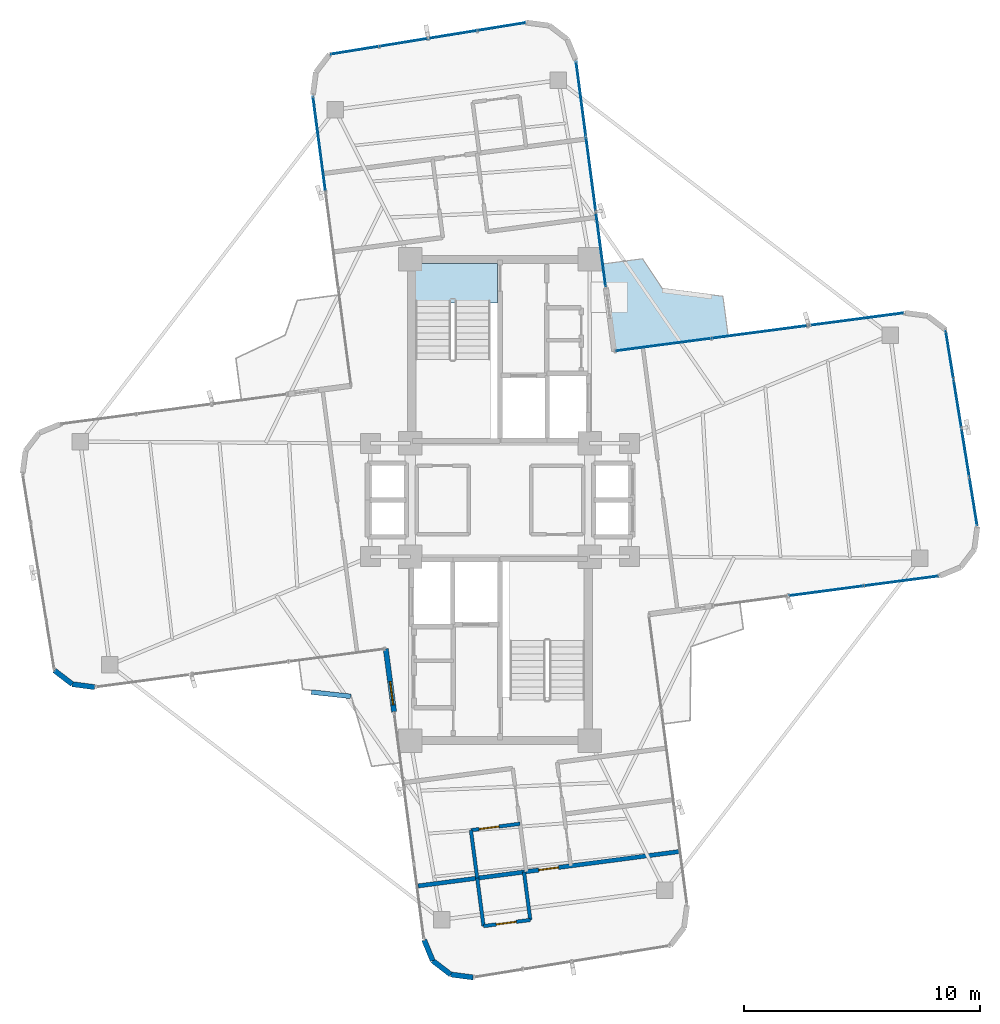
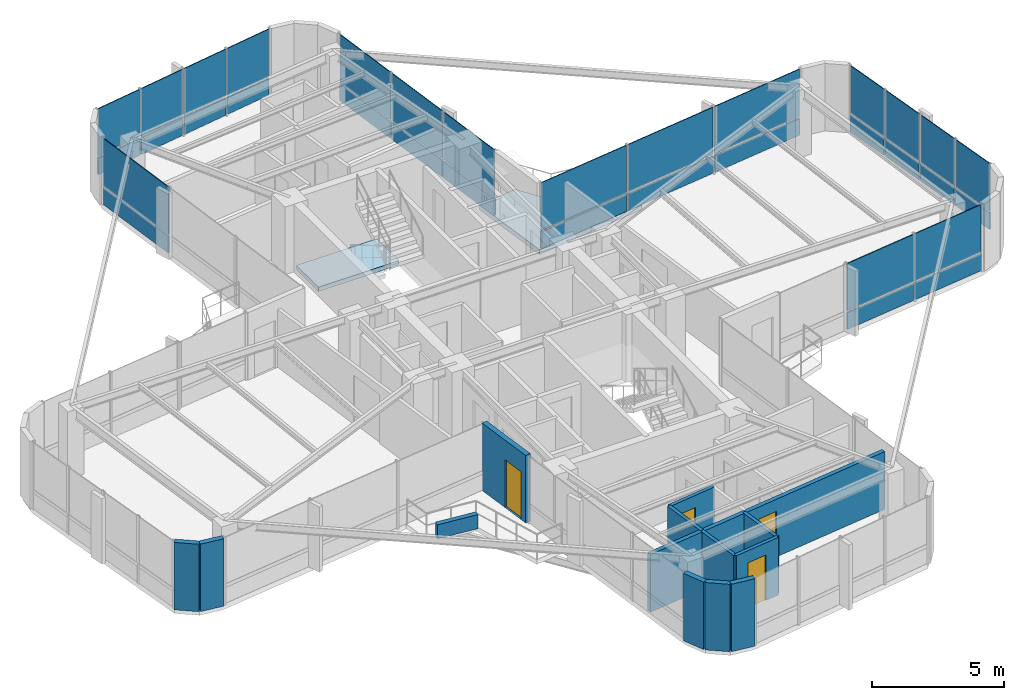
# One storey, part 18 of 22: 34 plates, 13 walls, 4 doors, 2 slabs, 4 openings, 6 elements without a shape of their own.
"""IFC4 building model written with IfcOpenShell, lengths in metres."""

import ifcopenshell
import ifcopenshell.guid

model = None  # the IFC model being written
_history = None  # IfcOwnerHistory: only IFC2X3 demands one
_inside = {}  # id of a spatial element -> (the spatial element, [elements in it])
_under = {}  # id of a project, library or spatial element -> (it, [spatial elements below it])
_declared = {}  # id of a project -> (the project, [libraries it declares])
_typed = {}  # id of a type object -> (the type object, [elements of that type])
_made_of = {}  # id of a material, layer set ... -> (it, [elements and type objects made of it])


def new_model(schema):
    """Start an empty IFC model of exactly this schema.

    Asked for "IFC4X3", IfcOpenShell would pick the latest addendum, in which some entities
    have other attributes; the version numbers below select the first issue.
    IFC2X3 requires an IfcOwnerHistory on every rooted entity: one is made here for all.
    """
    global model, _history
    if schema == "IFC4X3":
        model = ifcopenshell.file(schema_version=(4, 3, 0, 0))
    else:
        model = ifcopenshell.file(schema=schema)
    _inside.clear()
    _under.clear()
    _declared.clear()
    _typed.clear()
    _made_of.clear()
    _history = None
    if model.schema == "IFC2X3":
        org = make("IfcOrganization", Name="unknown")
        user = make(
            "IfcPersonAndOrganization",
            ThePerson=make("IfcPerson", FamilyName="unknown"),
            TheOrganization=org,
        )
        app = make(
            "IfcApplication",
            ApplicationDeveloper=org,
            Version="unknown",
            ApplicationFullName="unknown",
            ApplicationIdentifier="unknown",
        )
        _history = make(
            "IfcOwnerHistory",
            OwningUser=user,
            OwningApplication=app,
            ChangeAction="ADDED",
            CreationDate=0,
        )
    return model


def make(cls, **values):
    """One entity of the class cls with the attributes given. An attribute that is None is left unset."""
    return model.create_entity(
        cls, **{name: value for name, value in values.items() if value is not None}
    )


def rooted(cls, **values):
    """An entity with a GlobalId (a new one), such as an element, a storey or a relation."""
    return make(cls, GlobalId=ifcopenshell.guid.new(), OwnerHistory=_history, **values)


def si_unit(unit_type, name, prefix=None):
    """IfcSIUnit, for example si_unit("LENGTHUNIT", "METRE", prefix="MILLI")."""
    return make("IfcSIUnit", UnitType=unit_type, Prefix=prefix, Name=name)


def assignment(units):
    """IfcUnitAssignment: the units of a project."""
    return None if units is None else make("IfcUnitAssignment", Units=units)


def point(xyz):
    """IfcCartesianPoint."""
    return None if xyz is None else make("IfcCartesianPoint", Coordinates=xyz)


def direction(xyz):
    """IfcDirection."""
    return None if xyz is None else make("IfcDirection", DirectionRatios=xyz)


def frame(location, z_axis=None, x_axis=None):
    """IfcAxis2Placement3D, a coordinate frame: its origin and axes. An axis left out is left unset."""
    return make(
        "IfcAxis2Placement3D",
        Location=point(location),
        Axis=direction(z_axis),
        RefDirection=direction(x_axis),
    )


def frame_2d(location, x_axis=None):
    """IfcAxis2Placement2D, a coordinate frame in the plane: its origin and x axis."""
    return make(
        "IfcAxis2Placement2D", Location=point(location), RefDirection=direction(x_axis)
    )


def origin():
    """The frame at (0, 0, 0) with its axes left unset."""
    return frame((0.0, 0.0, 0.0))


def origin_2d():
    """The frame at (0, 0) in the plane with its x axis left unset."""
    return frame_2d((0.0, 0.0))


def place(relative_to, where):
    """IfcLocalPlacement: puts the frame where relative to a parent placement (None: the world)."""
    return make(
        "IfcLocalPlacement", PlacementRelTo=relative_to, RelativePlacement=where
    )


def context(
    kind, dimensions, precision=None, world=None, true_north=None, identifier=None
):
    """IfcGeometricRepresentationContext, for example the 3D "Model" context."""
    return make(
        "IfcGeometricRepresentationContext",
        ContextIdentifier=identifier,
        ContextType=kind,
        CoordinateSpaceDimension=dimensions,
        Precision=precision,
        WorldCoordinateSystem=world,
        TrueNorth=true_north,
    )


def subcontext(parent, identifier, kind, view, scale=None):
    """IfcGeometricRepresentationSubContext, for example "Body" below "Model"."""
    return make(
        "IfcGeometricRepresentationSubContext",
        ContextIdentifier=identifier,
        ContextType=kind,
        ParentContext=parent,
        TargetScale=scale,
        TargetView=view,
    )


def project(units=None, contexts=None):
    """IfcProject with its units and contexts."""
    return rooted(
        "IfcProject",
        Name="project",
        RepresentationContexts=contexts,
        UnitsInContext=assignment(units),
    )


def spatial(cls, under=None, at=None, **own):
    """A site, building, storey or space (cls), placed at a placement, below another one or the project."""
    s = rooted(cls, ObjectPlacement=at, **own)
    if under is not None:
        _under.setdefault(under.id(), (under, []))[1].append(s)
    return s


def polyline(points):
    """IfcPolyline through the points."""
    return make("IfcPolyline", Points=[point(p) for p in points])


def profile(cls, at=None, kind="AREA", **sizes):
    """A parametric profile (cls). Its sizes go by their IFC names, for example OverallWidth=200.0."""
    return make(cls, ProfileType=kind, Position=at, **sizes)


def rectangle(**sizes):
    """IfcRectangleProfileDef."""
    return profile("IfcRectangleProfileDef", **sizes)


def outline(outer, holes=None, kind="AREA"):
    """IfcArbitraryClosedProfileDef: a profile drawn as a closed curve; with holes, ...WithVoids."""
    if holes is None:
        return make("IfcArbitraryClosedProfileDef", ProfileType=kind, OuterCurve=outer)
    return make(
        "IfcArbitraryProfileDefWithVoids",
        ProfileType=kind,
        OuterCurve=outer,
        InnerCurves=holes,
    )


def extrude(swept, where, along, depth):
    """IfcExtrudedAreaSolid: the profile swept, set in the frame where, extruded along a direction by depth."""
    return make(
        "IfcExtrudedAreaSolid",
        SweptArea=swept,
        Position=where,
        ExtrudedDirection=direction(along),
        Depth=depth,
    )


def shape(context_of_items, identifier, shape_type, items):
    """IfcShapeRepresentation: the items that make up one representation, for example the "Body"."""
    return make(
        "IfcShapeRepresentation",
        ContextOfItems=context_of_items,
        RepresentationIdentifier=identifier,
        RepresentationType=shape_type,
        Items=items,
    )


def source(mapping_origin, context_of_items, identifier, shape_type, items):
    """IfcRepresentationMap: a shape defined once, which mapped items show again and again."""
    return make(
        "IfcRepresentationMap",
        MappingOrigin=mapping_origin,
        MappedRepresentation=shape(context_of_items, identifier, shape_type, items),
    )


def transform(
    local_origin,
    x_axis=None,
    y_axis=None,
    z_axis=None,
    scale=None,
    scale2=None,
    scale3=None,
    uniform=True,
):
    """IfcCartesianTransformationOperator3D, or its non-uniform kind. x_axis, y_axis, z_axis: its Axis1, 2, 3."""
    if uniform:
        return make(
            "IfcCartesianTransformationOperator3D",
            Axis1=direction(x_axis),
            Axis2=direction(y_axis),
            LocalOrigin=point(local_origin),
            Scale=scale,
            Axis3=direction(z_axis),
        )
    return make(
        "IfcCartesianTransformationOperator3DnonUniform",
        Axis1=direction(x_axis),
        Axis2=direction(y_axis),
        LocalOrigin=point(local_origin),
        Scale=scale,
        Axis3=direction(z_axis),
        Scale2=scale2,
        Scale3=scale3,
    )


def mapped(mapping_source, mapping_target):
    """IfcMappedItem: shows the shape of a source again, moved by a transform."""
    return make(
        "IfcMappedItem", MappingSource=mapping_source, MappingTarget=mapping_target
    )


def material(Name=None, Category=None):
    """IfcMaterial."""
    return make("IfcMaterial", Name=Name, Category=Category)


def layer(
    of_material, thickness, ventilated=None, Name=None, Category=None, Priority=None
):
    """IfcMaterialLayer: one layer of a wall or slab, of a material (None: an air gap)."""
    return make(
        "IfcMaterialLayer",
        Material=of_material,
        LayerThickness=thickness,
        IsVentilated=ventilated,
        Name=Name,
        Category=Category,
        Priority=Priority,
    )


def layer_set(layers, Name=None):
    """IfcMaterialLayerSet."""
    return make("IfcMaterialLayerSet", MaterialLayers=layers, LayerSetName=Name)


def made_of(thing, what):
    """Note that an element or type object is made of a material, layer set ...; save() writes the relation."""
    if what is not None:
        _made_of.setdefault(what.id(), (what, []))[1].append(thing)
    return thing


def type_object(cls, material=None, **own):
    """A type object (cls), such as IfcWallType, which elements share."""
    return made_of(rooted(cls, **own), material)


def element(
    cls,
    number,
    at=None,
    inside=None,
    cuts=None,
    type_object=None,
    material=None,
    context=None,
    identifier="Body",
    shape_type=None,
    held_by="IfcProductDefinitionShape",
    body=None,
    shapes=None,
    **own,
):
    """One element of the class cls, such as IfcWall. Its Tag is "e" and its number.

    at: its placement. inside: the storey or other place that contains it. cuts: it is an
    opening in that element (IfcRelVoidsElement). A single representation is given by context,
    identifier, shape_type and body (its items); several are given by shapes. held_by: the class
    of the entity that holds the representations. save() writes the other relations.
    """
    e = rooted(cls, Tag="e%d" % number, ObjectPlacement=at, **own)
    if body is not None:
        shapes = [shape(context, identifier, shape_type, body)]
    if shapes is not None:
        e.Representation = make(held_by, Representations=shapes)
    if inside is not None:
        _inside.setdefault(inside.id(), (inside, []))[1].append(e)
    if cuts is not None:
        rooted(
            "IfcRelVoidsElement", RelatingBuildingElement=cuts, RelatedOpeningElement=e
        )
    if type_object is not None:
        _typed.setdefault(type_object.id(), (type_object, []))[1].append(e)
    return made_of(e, material)


def fill(opening, filler):
    """IfcRelFillsElement: the door or window that sits in an opening."""
    return rooted(
        "IfcRelFillsElement",
        RelatingOpeningElement=opening,
        RelatedBuildingElement=filler,
    )


def aggregate(whole, parts):
    """IfcRelAggregates: a whole, such as a stair, and the parts it consists of."""
    return rooted("IfcRelAggregates", RelatingObject=whole, RelatedObjects=parts)


def save(model, path):
    """Write the relations noted so far, then the file.

    IfcRelAggregates (storeys below a building ...), IfcRelContainedInSpatialStructure (elements
    in a storey), IfcRelDefinesByType, IfcRelAssociatesMaterial and IfcRelDeclares: one each for
    every whole, place, type object, material and project.
    """
    for whole, parts in _under.values():
        aggregate(whole, parts)
    for where, things in _inside.values():
        rooted(
            "IfcRelContainedInSpatialStructure",
            RelatedElements=things,
            RelatingStructure=where,
        )
    for kind, things in _typed.values():
        rooted("IfcRelDefinesByType", RelatedObjects=things, RelatingType=kind)
    for what, things in _made_of.values():
        rooted("IfcRelAssociatesMaterial", RelatedObjects=things, RelatingMaterial=what)
    for by, libraries in _declared.values():
        rooted("IfcRelDeclares", RelatingContext=by, RelatedDefinitions=libraries)
    model.write(path)


model = new_model("IFC4")

# Units and contexts
model_context = context("Model", 3, precision=1e-05, world=origin(), true_north=direction((0.0, 1.0)))
body_context = subcontext(model_context, "Body", "Model", "MODEL_VIEW")
ifc_project = project(units=[si_unit("LENGTHUNIT", "METRE"), si_unit("AREAUNIT", "SQUARE_METRE"), si_unit("VOLUMEUNIT", "CUBIC_METRE"), si_unit("PLANEANGLEUNIT", "RADIAN"), si_unit("MASSUNIT", "GRAM", prefix="KILO")], contexts=[model_context])

# Site, building, storey
site_placement = place(None, origin())
site = spatial("IfcSite", under=ifc_project, at=site_placement, CompositionType="ELEMENT")
building_placement = place(site_placement, origin())
building = spatial("IfcBuilding", under=site, at=building_placement, Name="Sahyath Konkavel Grand Hotel", CompositionType="ELEMENT")
storey_placement = place(building_placement, frame((0.0, 0.0, 237.800048828125)))
storey = spatial("IfcBuildingStorey", under=building, at=storey_placement, Name="L66", CompositionType="ELEMENT", Elevation=237.800048828125)

# Slabs
ifc_material_1 = material(Name="Concrete C40/50", Category="concrete")
ifc_layer_1 = layer(ifc_material_1, 0.219970703125)
ifc_layer_set_1 = layer_set([ifc_layer_1], Name="Concrete C40/50")
slab_type_1 = type_object("IfcSlabType", Name="SLB-BALCONY-220", PredefinedType="FLOOR", material=ifc_layer_set_1)
slab_1_placement = place(storey_placement, frame((0.0, 0.0, -0.219970703125)))
element("IfcSlab", 1, at=slab_1_placement, inside=storey, type_object=slab_type_1, Name="L66 Winter-Garden Balcony NE", PredefinedType="FLOOR", context=body_context, shape_type="SweptSolid", body=[
    extrude(outline(polyline([(4.8427734375, 6.31103515625), (9.674072265625, 6.947021484375), (9.45166015625, 8.635986328125), (6.879638671875, 8.9658203125), (6.045166015625, 10.228515625), (4.356201171875, 10.006103515625), (4.8427734375, 6.31103515625)])), origin(), (0.0, 0.0, 1.0), 0.219970703125),
])
ifc_layer_2 = layer(ifc_material_1, 0.199951171875)
ifc_layer_set_2 = layer_set([ifc_layer_2], Name="Concrete C40/50")
slab_type_2 = type_object("IfcSlabType", Name="SLB-STAIR-LND", PredefinedType="LANDING", material=ifc_layer_set_2)
slab_2_placement = place(storey_placement, frame((0.0, 0.0, -0.199951171875)))
element("IfcSlab", 2, at=slab_2_placement, inside=storey, type_object=slab_type_2, Name="L66 Stair ST-1 Floor Landing Slab", PredefinedType="LANDING", context=body_context, shape_type="SweptSolid", body=[
    extrude(outline(polyline([(-3.6201171875, 8.35009765625), (-0.10009765625, 8.35009765625), (-0.10009765625, 10.02001953125), (-3.6201171875, 10.02001953125), (-3.6201171875, 8.35009765625)])), origin(), (0.0, 0.0, 1.0), 0.199951171875),
])

# Curtain wall, plates
ifc_material_2 = material(Name="Anodised Bronze Aluminium & Low-E Glazing", Category="aluminium")
curtain_wall_type = type_object("IfcCurtainWallType", Name="CW-ZONE4", PredefinedType="NOTDEFINED", material=ifc_material_2)
curtain_wall_1_placement = place(storey_placement, origin())
curtain_wall_1 = element("IfcCurtainWall", 3, at=curtain_wall_1_placement, inside=storey, type_object=curtain_wall_type, Name="L66 Unitised Curtain Wall F0", PredefinedType="NOTDEFINED")
ifc_material_3 = material(Name="Warm Buff Sandstone Cladding", Category="masonry")
ifc_layer_3 = layer(ifc_material_3, 0.074951171875)
ifc_layer_set_3 = layer_set([ifc_layer_3], Name="Warm Buff Sandstone Cladding")
plate_type_1 = type_object("IfcPlateType", Name="PNL-SPANDREL-STONE", PredefinedType="SHEET", material=ifc_layer_set_3)
shared_shape_1 = source(origin(), body_context, "Body", "SweptSolid", [
    extrude(rectangle(XDim=3.1416015625, YDim=0.074951171875, at=origin_2d()), origin(), (0.0, 0.0, 1.0), 0.77001953125),
])
plate_1_placement = place(storey_placement, frame((13.81884765625, -3.854248046875, 0.0400390625), z_axis=(0.0, 0.0, 1.0), x_axis=(0.991444861374, 0.13052619222, 0.0)))
plate_1 = element("IfcPlate", 4, at=plate_1_placement, type_object=plate_type_1, Name="L66 Sandstone Relief Spandrel Panel F0-1", PredefinedType="SHEET", context=body_context, shape_type="MappedRepresentation", body=[
    mapped(shared_shape_1, transform((0.0, 0.0, 0.0), scale=1.0)),
])
plate_2_placement = place(storey_placement, frame((17.012939453125, -3.43359375, 0.0400390625), z_axis=(0.0, 0.0, 1.0), x_axis=(0.991444861374, 0.13052619222, 0.0)))
plate_2 = element("IfcPlate", 5, at=plate_2_placement, type_object=plate_type_1, Name="L66 Sandstone Relief Spandrel Panel F0-2", PredefinedType="SHEET", context=body_context, shape_type="MappedRepresentation", body=[
    mapped(shared_shape_1, transform((0.0, 0.0, 0.0), scale=1.0)),
])

curtain_wall_2_placement = place(storey_placement, origin())
curtain_wall_2 = element("IfcCurtainWall", 6, at=curtain_wall_2_placement, inside=storey, type_object=curtain_wall_type, Name="L66 Unitised Curtain Wall F8", PredefinedType="NOTDEFINED")
plate_3_placement = place(storey_placement, frame((4.27490234375, 10.624755859375, 0.0400390625), z_axis=(0.0, 0.0, 1.0), x_axis=(-0.13052619222, 0.991444861374, 0.0)))
plate_3 = element("IfcPlate", 7, at=plate_3_placement, type_object=plate_type_1, Name="L66 Sandstone Relief Spandrel Panel F8-0", PredefinedType="SHEET", context=body_context, shape_type="MappedRepresentation", body=[
    mapped(shared_shape_1, transform((0.0, 0.0, 0.0), scale=1.0)),
])
plate_4_placement = place(storey_placement, frame((3.854248046875, 13.81884765625, 0.0400390625), z_axis=(0.0, 0.0, 1.0), x_axis=(-0.13052619222, 0.991444861374, 0.0)))
plate_4 = element("IfcPlate", 8, at=plate_4_placement, type_object=plate_type_1, Name="L66 Sandstone Relief Spandrel Panel F8-1", PredefinedType="SHEET", context=body_context, shape_type="MappedRepresentation", body=[
    mapped(shared_shape_1, transform((0.0, 0.0, 0.0), scale=1.0)),
])
plate_5_placement = place(storey_placement, frame((3.43359375, 17.012939453125, 0.0400390625), z_axis=(0.0, 0.0, 1.0), x_axis=(-0.13052619222, 0.991444861374, 0.0)))
plate_5 = element("IfcPlate", 9, at=plate_5_placement, type_object=plate_type_1, Name="L66 Sandstone Relief Spandrel Panel F8-2", PredefinedType="SHEET", context=body_context, shape_type="MappedRepresentation", body=[
    mapped(shared_shape_1, transform((0.0, 0.0, 0.0), scale=1.0)),
])

# Plate
ifc_material_4 = material(Name="Low-E Solar Control Double Glazing", Category="glass")
ifc_layer_4 = layer(ifc_material_4, 0.035888671875)
ifc_layer_set_4 = layer_set([ifc_layer_4], Name="Low-E Solar Control Double Glazing")
plate_type_2 = type_object("IfcPlateType", Name="PNL-VISION-LOWE", PredefinedType="CURTAIN_PANEL", material=ifc_layer_set_4)
shared_shape_2 = source(origin(), body_context, "Body", "SweptSolid", [
    extrude(rectangle(XDim=3.1416015625, YDim=0.035888671875, at=origin_2d()), origin(), (0.0, 0.0, 1.0), 2.179931640625),
])
plate_6_placement = place(storey_placement, frame((13.81884765625, -3.854248046875, 0.89013671875), z_axis=(0.0, 0.0, 1.0), x_axis=(0.991444861374, 0.13052619222, 0.0)))
plate_6 = element("IfcPlate", 10, at=plate_6_placement, type_object=plate_type_2, Name="L66 Low-E Vision Glazing Panel F0-1", PredefinedType="CURTAIN_PANEL", context=body_context, shape_type="MappedRepresentation", body=[
    mapped(shared_shape_2, transform((0.0, 0.0, 0.0), scale=1.0)),
])

plate_7_placement = place(storey_placement, frame((17.012939453125, -3.43359375, 0.89013671875), z_axis=(0.0, 0.0, 1.0), x_axis=(0.991444861374, 0.13052619222, 0.0)))
plate_7 = element("IfcPlate", 11, at=plate_7_placement, type_object=plate_type_2, Name="L66 Low-E Vision Glazing Panel F0-2", PredefinedType="CURTAIN_PANEL", context=body_context, shape_type="MappedRepresentation", body=[
    mapped(shared_shape_2, transform((0.0, 0.0, 0.0), scale=1.0)),
])

aggregate(curtain_wall_1, [plate_1, plate_6, plate_2, plate_7])

plate_8_placement = place(storey_placement, frame((4.27490234375, 10.624755859375, 0.89013671875), z_axis=(0.0, 0.0, 1.0), x_axis=(-0.13052619222, 0.991444861374, 0.0)))
plate_8 = element("IfcPlate", 12, at=plate_8_placement, type_object=plate_type_2, Name="L66 Low-E Vision Glazing Panel F8-0", PredefinedType="CURTAIN_PANEL", context=body_context, shape_type="MappedRepresentation", body=[
    mapped(shared_shape_2, transform((0.0, 0.0, 0.0), scale=1.0)),
])

plate_9_placement = place(storey_placement, frame((3.854248046875, 13.81884765625, 0.89013671875), z_axis=(0.0, 0.0, 1.0), x_axis=(-0.13052619222, 0.991444861374, 0.0)))
plate_9 = element("IfcPlate", 13, at=plate_9_placement, type_object=plate_type_2, Name="L66 Low-E Vision Glazing Panel F8-1", PredefinedType="CURTAIN_PANEL", context=body_context, shape_type="MappedRepresentation", body=[
    mapped(shared_shape_2, transform((0.0, 0.0, 0.0), scale=1.0)),
])

plate_10_placement = place(storey_placement, frame((3.43359375, 17.012939453125, 0.89013671875), z_axis=(0.0, 0.0, 1.0), x_axis=(-0.13052619222, 0.991444861374, 0.0)))
plate_10 = element("IfcPlate", 14, at=plate_10_placement, type_object=plate_type_2, Name="L66 Low-E Vision Glazing Panel F8-2", PredefinedType="CURTAIN_PANEL", context=body_context, shape_type="MappedRepresentation", body=[
    mapped(shared_shape_2, transform((0.0, 0.0, 0.0), scale=1.0)),
])

aggregate(curtain_wall_2, [plate_3, plate_8, plate_4, plate_9, plate_5, plate_10])

# Curtain wall, plates
curtain_wall_3_placement = place(storey_placement, origin())
curtain_wall_3 = element("IfcCurtainWall", 15, at=curtain_wall_3_placement, inside=storey, type_object=curtain_wall_type, Name="L66 Unitised Curtain Wall F4", PredefinedType="NOTDEFINED")
shared_shape_3 = source(origin(), body_context, "Body", "SweptSolid", [
    extrude(rectangle(XDim=2.01953125, YDim=0.074951171875, at=origin_2d()), origin(), (0.0, 0.0, 1.0), 0.77001953125),
])
plate_11_placement = place(storey_placement, frame((20.068603515625, -0.066650390625, 0.0400390625), z_axis=(0.0, 0.0, 1.0), x_axis=(-0.159450453036, 0.987205932431, 0.0)))
plate_11 = element("IfcPlate", 16, at=plate_11_placement, type_object=plate_type_1, Name="L66 Sandstone Relief Spandrel Panel F4-0", PredefinedType="SHEET", context=body_context, shape_type="MappedRepresentation", body=[
    mapped(shared_shape_3, transform((0.0, 0.0, 0.0), scale=1.0)),
])
plate_12_placement = place(storey_placement, frame((19.733642578125, 2.006103515625, 0.0400390625), z_axis=(0.0, 0.0, 1.0), x_axis=(-0.159450453036, 0.987205932431, 0.0)))
plate_12 = element("IfcPlate", 17, at=plate_12_placement, type_object=plate_type_1, Name="L66 Sandstone Relief Spandrel Panel F4-1", PredefinedType="SHEET", context=body_context, shape_type="MappedRepresentation", body=[
    mapped(shared_shape_3, transform((0.0, 0.0, 0.0), scale=1.0)),
])
plate_13_placement = place(storey_placement, frame((19.39892578125, 4.078857421875, 0.0400390625), z_axis=(0.0, 0.0, 1.0), x_axis=(-0.159450453036, 0.987205932431, 0.0)))
plate_13 = element("IfcPlate", 18, at=plate_13_placement, type_object=plate_type_1, Name="L66 Sandstone Relief Spandrel Panel F4-2", PredefinedType="SHEET", context=body_context, shape_type="MappedRepresentation", body=[
    mapped(shared_shape_3, transform((0.0, 0.0, 0.0), scale=1.0)),
])
plate_14_placement = place(storey_placement, frame((19.064208984375, 6.151611328125, 0.0400390625), z_axis=(0.0, 0.0, 1.0), x_axis=(-0.159450453036, 0.987205932431, 0.0)))
plate_14 = element("IfcPlate", 19, at=plate_14_placement, type_object=plate_type_1, Name="L66 Sandstone Relief Spandrel Panel F4-3", PredefinedType="SHEET", context=body_context, shape_type="MappedRepresentation", body=[
    mapped(shared_shape_3, transform((0.0, 0.0, 0.0), scale=1.0)),
])

curtain_wall_4_placement = place(storey_placement, origin())
curtain_wall_4 = element("IfcCurtainWall", 20, at=curtain_wall_4_placement, inside=storey, type_object=curtain_wall_type, Name="L66 Unitised Curtain Wall F12", PredefinedType="NOTDEFINED")
plate_15_placement = place(storey_placement, frame((0.066650390625, 20.068603515625, 0.0400390625), z_axis=(0.0, 0.0, 1.0), x_axis=(-0.987205932431, -0.159450453036, 0.0)))
plate_15 = element("IfcPlate", 21, at=plate_15_placement, type_object=plate_type_1, Name="L66 Sandstone Relief Spandrel Panel F12-0", PredefinedType="SHEET", context=body_context, shape_type="MappedRepresentation", body=[
    mapped(shared_shape_3, transform((0.0, 0.0, 0.0), scale=1.0)),
])
plate_16_placement = place(storey_placement, frame((-2.006103515625, 19.733642578125, 0.0400390625), z_axis=(0.0, 0.0, 1.0), x_axis=(-0.987205932431, -0.159450453036, 0.0)))
plate_16 = element("IfcPlate", 22, at=plate_16_placement, type_object=plate_type_1, Name="L66 Sandstone Relief Spandrel Panel F12-1", PredefinedType="SHEET", context=body_context, shape_type="MappedRepresentation", body=[
    mapped(shared_shape_3, transform((0.0, 0.0, 0.0), scale=1.0)),
])
plate_17_placement = place(storey_placement, frame((-4.078857421875, 19.39892578125, 0.0400390625), z_axis=(0.0, 0.0, 1.0), x_axis=(-0.987205932431, -0.159450453036, 0.0)))
plate_17 = element("IfcPlate", 23, at=plate_17_placement, type_object=plate_type_1, Name="L66 Sandstone Relief Spandrel Panel F12-2", PredefinedType="SHEET", context=body_context, shape_type="MappedRepresentation", body=[
    mapped(shared_shape_3, transform((0.0, 0.0, 0.0), scale=1.0)),
])
plate_18_placement = place(storey_placement, frame((-6.151611328125, 19.064208984375, 0.0400390625), z_axis=(0.0, 0.0, 1.0), x_axis=(-0.987205932431, -0.159450453036, 0.0)))
plate_18 = element("IfcPlate", 24, at=plate_18_placement, type_object=plate_type_1, Name="L66 Sandstone Relief Spandrel Panel F12-3", PredefinedType="SHEET", context=body_context, shape_type="MappedRepresentation", body=[
    mapped(shared_shape_3, transform((0.0, 0.0, 0.0), scale=1.0)),
])

# Plate
shared_shape_4 = source(origin(), body_context, "Body", "SweptSolid", [
    extrude(rectangle(XDim=2.01953125, YDim=0.035888671875, at=origin_2d()), origin(), (0.0, 0.0, 1.0), 2.179931640625),
])
plate_19_placement = place(storey_placement, frame((20.068603515625, -0.066650390625, 0.89013671875), z_axis=(0.0, 0.0, 1.0), x_axis=(-0.159450453036, 0.987205932431, 0.0)))
plate_19 = element("IfcPlate", 25, at=plate_19_placement, type_object=plate_type_2, Name="L66 Low-E Vision Glazing Panel F4-0", PredefinedType="CURTAIN_PANEL", context=body_context, shape_type="MappedRepresentation", body=[
    mapped(shared_shape_4, transform((0.0, 0.0, 0.0), scale=1.0)),
])

plate_20_placement = place(storey_placement, frame((19.733642578125, 2.006103515625, 0.89013671875), z_axis=(0.0, 0.0, 1.0), x_axis=(-0.159450453036, 0.987205932431, 0.0)))
plate_20 = element("IfcPlate", 26, at=plate_20_placement, type_object=plate_type_2, Name="L66 Low-E Vision Glazing Panel F4-1", PredefinedType="CURTAIN_PANEL", context=body_context, shape_type="MappedRepresentation", body=[
    mapped(shared_shape_4, transform((0.0, 0.0, 0.0), scale=1.0)),
])

plate_21_placement = place(storey_placement, frame((19.39892578125, 4.078857421875, 0.89013671875), z_axis=(0.0, 0.0, 1.0), x_axis=(-0.159450453036, 0.987205932431, 0.0)))
plate_21 = element("IfcPlate", 27, at=plate_21_placement, type_object=plate_type_2, Name="L66 Low-E Vision Glazing Panel F4-2", PredefinedType="CURTAIN_PANEL", context=body_context, shape_type="MappedRepresentation", body=[
    mapped(shared_shape_4, transform((0.0, 0.0, 0.0), scale=1.0)),
])

plate_22_placement = place(storey_placement, frame((19.064208984375, 6.151611328125, 0.89013671875), z_axis=(0.0, 0.0, 1.0), x_axis=(-0.159450453036, 0.987205932431, 0.0)))
plate_22 = element("IfcPlate", 28, at=plate_22_placement, type_object=plate_type_2, Name="L66 Low-E Vision Glazing Panel F4-3", PredefinedType="CURTAIN_PANEL", context=body_context, shape_type="MappedRepresentation", body=[
    mapped(shared_shape_4, transform((0.0, 0.0, 0.0), scale=1.0)),
])

aggregate(curtain_wall_3, [plate_11, plate_19, plate_12, plate_20, plate_13, plate_21, plate_14, plate_22])

plate_23_placement = place(storey_placement, frame((0.066650390625, 20.068603515625, 0.89013671875), z_axis=(0.0, 0.0, 1.0), x_axis=(-0.987205932431, -0.159450453036, 0.0)))
plate_23 = element("IfcPlate", 29, at=plate_23_placement, type_object=plate_type_2, Name="L66 Low-E Vision Glazing Panel F12-0", PredefinedType="CURTAIN_PANEL", context=body_context, shape_type="MappedRepresentation", body=[
    mapped(shared_shape_4, transform((0.0, 0.0, 0.0), scale=1.0)),
])

plate_24_placement = place(storey_placement, frame((-2.006103515625, 19.733642578125, 0.89013671875), z_axis=(0.0, 0.0, 1.0), x_axis=(-0.987205932431, -0.159450453036, 0.0)))
plate_24 = element("IfcPlate", 30, at=plate_24_placement, type_object=plate_type_2, Name="L66 Low-E Vision Glazing Panel F12-1", PredefinedType="CURTAIN_PANEL", context=body_context, shape_type="MappedRepresentation", body=[
    mapped(shared_shape_4, transform((0.0, 0.0, 0.0), scale=1.0)),
])

plate_25_placement = place(storey_placement, frame((-4.078857421875, 19.39892578125, 0.89013671875), z_axis=(0.0, 0.0, 1.0), x_axis=(-0.987205932431, -0.159450453036, 0.0)))
plate_25 = element("IfcPlate", 31, at=plate_25_placement, type_object=plate_type_2, Name="L66 Low-E Vision Glazing Panel F12-2", PredefinedType="CURTAIN_PANEL", context=body_context, shape_type="MappedRepresentation", body=[
    mapped(shared_shape_4, transform((0.0, 0.0, 0.0), scale=1.0)),
])

plate_26_placement = place(storey_placement, frame((-6.151611328125, 19.064208984375, 0.89013671875), z_axis=(0.0, 0.0, 1.0), x_axis=(-0.987205932431, -0.159450453036, 0.0)))
plate_26 = element("IfcPlate", 32, at=plate_26_placement, type_object=plate_type_2, Name="L66 Low-E Vision Glazing Panel F12-3", PredefinedType="CURTAIN_PANEL", context=body_context, shape_type="MappedRepresentation", body=[
    mapped(shared_shape_4, transform((0.0, 0.0, 0.0), scale=1.0)),
])

aggregate(curtain_wall_4, [plate_15, plate_23, plate_16, plate_24, plate_17, plate_25, plate_18, plate_26])

# Curtain wall, plates
curtain_wall_5_placement = place(storey_placement, origin())
curtain_wall_5 = element("IfcCurtainWall", 33, at=curtain_wall_5_placement, inside=storey, type_object=curtain_wall_type, Name="L66 Unitised Curtain Wall F7", PredefinedType="NOTDEFINED")
shared_shape_5 = source(origin(), body_context, "Body", "SweptSolid", [
    extrude(rectangle(XDim=4.041748046875, YDim=0.074951171875, at=origin_2d()), origin(), (0.0, 0.0, 1.0), 0.77001953125),
])
plate_27_placement = place(storey_placement, frame((15.098388671875, 7.661376953125, 0.0400390625), z_axis=(0.0, 0.0, 1.0), x_axis=(-0.991444861374, -0.13052619222, 0.0)))
plate_27 = element("IfcPlate", 34, at=plate_27_placement, type_object=plate_type_1, Name="L66 Sandstone Relief Spandrel Panel F7-0", PredefinedType="SHEET", context=body_context, shape_type="MappedRepresentation", body=[
    mapped(shared_shape_5, transform((0.0, 0.0, 0.0), scale=1.0)),
])
plate_28_placement = place(storey_placement, frame((11.011962890625, 7.123291015625, 0.0400390625), z_axis=(0.0, 0.0, 1.0), x_axis=(-0.991444861374, -0.13052619222, 0.0)))
plate_28 = element("IfcPlate", 35, at=plate_28_placement, type_object=plate_type_1, Name="L66 Sandstone Relief Spandrel Panel F7-1", PredefinedType="SHEET", context=body_context, shape_type="MappedRepresentation", body=[
    mapped(shared_shape_5, transform((0.0, 0.0, 0.0), scale=1.0)),
])
plate_29_placement = place(storey_placement, frame((6.925537109375, 6.585205078125, 0.0400390625), z_axis=(0.0, 0.0, 1.0), x_axis=(-0.991444861374, -0.13052619222, 0.0)))
plate_29 = element("IfcPlate", 36, at=plate_29_placement, type_object=plate_type_1, Name="L66 Sandstone Relief Spandrel Panel F7-2", PredefinedType="SHEET", context=body_context, shape_type="MappedRepresentation", body=[
    mapped(shared_shape_5, transform((0.0, 0.0, 0.0), scale=1.0)),
])

# Curtain wall, plate
curtain_wall_6_placement = place(storey_placement, origin())
curtain_wall_6 = element("IfcCurtainWall", 37, at=curtain_wall_6_placement, inside=storey, type_object=curtain_wall_type, Name="L66 Unitised Curtain Wall F15", PredefinedType="NOTDEFINED")
plate_30_placement = place(storey_placement, frame((-7.661376953125, 15.098388671875, 0.0400390625), z_axis=(0.0, 0.0, 1.0), x_axis=(0.13052619222, -0.991444861374, 0.0)))
plate_30 = element("IfcPlate", 38, at=plate_30_placement, type_object=plate_type_1, Name="L66 Sandstone Relief Spandrel Panel F15-0", PredefinedType="SHEET", context=body_context, shape_type="MappedRepresentation", body=[
    mapped(shared_shape_5, transform((0.0, 0.0, 0.0), scale=1.0)),
])

# Plate
shared_shape_6 = source(origin(), body_context, "Body", "SweptSolid", [
    extrude(rectangle(XDim=4.041748046875, YDim=0.035888671875, at=origin_2d()), origin(), (0.0, 0.0, 1.0), 2.179931640625),
])
plate_31_placement = place(storey_placement, frame((15.098388671875, 7.661376953125, 0.89013671875), z_axis=(0.0, 0.0, 1.0), x_axis=(-0.991444861374, -0.13052619222, 0.0)))
plate_31 = element("IfcPlate", 39, at=plate_31_placement, type_object=plate_type_2, Name="L66 Low-E Vision Glazing Panel F7-0", PredefinedType="CURTAIN_PANEL", context=body_context, shape_type="MappedRepresentation", body=[
    mapped(shared_shape_6, transform((0.0, 0.0, 0.0), scale=1.0)),
])

plate_32_placement = place(storey_placement, frame((11.011962890625, 7.123291015625, 0.89013671875), z_axis=(0.0, 0.0, 1.0), x_axis=(-0.991444861374, -0.13052619222, 0.0)))
plate_32 = element("IfcPlate", 40, at=plate_32_placement, type_object=plate_type_2, Name="L66 Low-E Vision Glazing Panel F7-1", PredefinedType="CURTAIN_PANEL", context=body_context, shape_type="MappedRepresentation", body=[
    mapped(shared_shape_6, transform((0.0, 0.0, 0.0), scale=1.0)),
])

plate_33_placement = place(storey_placement, frame((6.925537109375, 6.585205078125, 0.89013671875), z_axis=(0.0, 0.0, 1.0), x_axis=(-0.991444861374, -0.13052619222, 0.0)))
plate_33 = element("IfcPlate", 41, at=plate_33_placement, type_object=plate_type_2, Name="L66 Low-E Vision Glazing Panel F7-2", PredefinedType="CURTAIN_PANEL", context=body_context, shape_type="MappedRepresentation", body=[
    mapped(shared_shape_6, transform((0.0, 0.0, 0.0), scale=1.0)),
])

aggregate(curtain_wall_5, [plate_27, plate_31, plate_28, plate_32, plate_29, plate_33])

plate_34_placement = place(storey_placement, frame((-7.661376953125, 15.098388671875, 0.89013671875), z_axis=(0.0, 0.0, 1.0), x_axis=(0.13052619222, -0.991444861374, 0.0)))
plate_34 = element("IfcPlate", 42, at=plate_34_placement, type_object=plate_type_2, Name="L66 Low-E Vision Glazing Panel F15-0", PredefinedType="CURTAIN_PANEL", context=body_context, shape_type="MappedRepresentation", body=[
    mapped(shared_shape_6, transform((0.0, 0.0, 0.0), scale=1.0)),
])

aggregate(curtain_wall_6, [plate_30, plate_34])

# Walls
ifc_material_5 = material(Name="Warm Buff Sandstone Insulated Concrete C40/50", Category="masonry")
ifc_layer_5 = layer(ifc_material_5, 0.219970703125)
ifc_layer_set_5 = layer_set([ifc_layer_5], Name="Warm Buff Sandstone Insulated Concrete C40/50")
wall_type_1 = type_object("IfcWallType", Name="WLL-BALC-THRESH", PredefinedType="STANDARD", material=ifc_layer_set_5)
for number, where, z_axis, x_axis, name in (
    (43, (-18.890380859375, -7.2275390625, 0.0), (0.0, 0.0, 1.0), (0.793343685778, -0.608774010809, 0.0), "L66 Rounded Corner Sandstone Pier 21"),
    (44, (-18.130615234375, -7.810546875, 0.0), (0.0, 0.0, 1.0), (0.991444747987, -0.130527053476, 0.0), "L66 Rounded Corner Sandstone Pier 22"),
):
    element("IfcWall", number, at=place(storey_placement, frame(where, z_axis=z_axis, x_axis=x_axis)), inside=storey, type_object=wall_type_1, Name=name, PredefinedType="STANDARD", context=body_context, shape_type="SweptSolid", body=[
        extrude(rectangle(XDim=0.957763671875, YDim=0.219970703125, at=frame_2d((0.47900390625, 0.0))), origin(), (0.0, 0.0, 1.0), 3.10986328125),
    ])

# Wall, opening, door
wall_1_placement = place(storey_placement, frame((-4.8427734375, -6.31103515625, 0.0), z_axis=(0.0, 0.0, 1.0), x_axis=(0.130564442062, -0.991439824936, 0.0)))
wall_1 = element("IfcWall", 45, at=wall_1_placement, inside=storey, type_object=wall_type_1, Name="L66 Winter-Garden Threshold Wall 24", PredefinedType="STANDARD", context=body_context, shape_type="SweptSolid", body=[
    extrude(rectangle(XDim=2.7001953125, YDim=0.219970703125, at=frame_2d((1.35009765625, 0.0))), origin(), (0.0, 0.0, 1.0), 3.10986328125),
])
opening_1_placement = place(wall_1_placement, frame((1.39990234375, 0.0, 0.0)))
opening_1 = element("IfcOpeningElement", 46, at=opening_1_placement, cuts=wall_1, Name="Opening D-TR1", PredefinedType="OPENING", context=body_context, shape_type="SweptSolid", body=[
    extrude(rectangle(XDim=1.0, YDim=2.199951171875, at=frame_2d((0.5, 1.10009765625))), frame((0.0, 0.1201171875, 0.0), z_axis=(0.0, -1.0, 0.0), x_axis=(1.0, 0.0, 0.0)), (0.0, 0.0, 1.0), 0.239990234375),
])
door_type_1 = type_object("IfcDoorType", Name="DR-TERRACE-1000", OperationType="NOTDEFINED", PredefinedType="DOOR", material=ifc_material_2)
shared_shape_7 = source(origin(), body_context, "Body", "SweptSolid", [
    extrude(rectangle(XDim=1.0, YDim=0.050048828125, at=origin_2d()), origin(), (0.0, 0.0, 1.0), 2.199951171875),
])
door_1_placement = place(opening_1_placement, frame((0.5, 0.0, 0.0)))
door_1 = element("IfcDoor", 47, at=door_1_placement, inside=storey, type_object=door_type_1, Name="L66 Winter-Garden Terrace Door 24", OperationType="SINGLE_SWING_LEFT", OverallHeight=2.199951171875, OverallWidth=1.0, PredefinedType="DOOR", context=body_context, shape_type="MappedRepresentation", body=[
    mapped(shared_shape_7, transform((0.0, 0.0, 0.0), scale=1.0)),
])
fill(opening_1, door_1)

# Walls
wall_2_placement = place(storey_placement, frame((-3.21826171875, -18.649658203125, 0.0), z_axis=(0.0, 0.0, 1.0), x_axis=(0.382659506909, -0.923889442397, 0.0)))
element("IfcWall", 48, at=wall_2_placement, inside=storey, type_object=wall_type_1, Name="L66 Rounded Corner Sandstone Pier 25", PredefinedType="STANDARD", context=body_context, shape_type="SweptSolid", body=[
    extrude(rectangle(XDim=0.957763671875, YDim=0.219970703125, at=frame_2d((0.47900390625, 0.0))), origin(), (0.0, 0.0, 1.0), 3.10986328125),
])
wall_3_placement = place(storey_placement, frame((-2.851806640625, -19.534423828125, 0.0), z_axis=(0.0, 0.0, 1.0), x_axis=(0.793466811674, -0.60861352168, 0.0)))
element("IfcWall", 49, at=wall_3_placement, inside=storey, type_object=wall_type_1, Name="L66 Rounded Corner Sandstone Pier 26", PredefinedType="STANDARD", context=body_context, shape_type="SweptSolid", body=[
    extrude(rectangle(XDim=0.95751953125, YDim=0.219970703125, at=frame_2d((0.478759765625, 0.0))), origin(), (0.0, 0.0, 1.0), 3.10986328125),
])
wall_4_placement = place(storey_placement, frame((-2.092041015625, -20.1171875, 0.0), z_axis=(0.0, 0.0, 1.0), x_axis=(0.991444747987, -0.130527053476, 0.0)))
element("IfcWall", 50, at=wall_4_placement, inside=storey, type_object=wall_type_1, Name="L66 Rounded Corner Sandstone Pier 27", PredefinedType="STANDARD", context=body_context, shape_type="SweptSolid", body=[
    extrude(rectangle(XDim=0.957763671875, YDim=0.219970703125, at=frame_2d((0.47900390625, 0.0))), origin(), (0.0, 0.0, 1.0), 3.10986328125),
])

# Wall, opening, door
ifc_material_6 = material(Name="Twin-Stud Acoustic Gypsum Plasterboard Partition")
ifc_layer_6 = layer(ifc_material_6, 0.179931640625)
ifc_layer_set_6 = layer_set([ifc_layer_6], Name="Twin-Stud Acoustic Gypsum Plasterboard Partition")
wall_type_2 = type_object("IfcWallType", Name="WLL-DEMISE-180", PredefinedType="PARTITIONING", material=ifc_layer_set_6)
wall_5_placement = place(storey_placement, frame((-3.468994140625, -16.36279296875, 0.0), z_axis=(0.0, 0.0, 1.0), x_axis=(0.991445499165, 0.130521347626, 0.0)))
wall_5 = element("IfcWall", 51, at=wall_5_placement, inside=storey, type_object=wall_type_2, Name="L66 Partition S-STIP-END", PredefinedType="PARTITIONING", context=body_context, shape_type="SweptSolid", body=[
    extrude(rectangle(XDim=11.150146484375, YDim=0.179931640625, at=frame_2d((5.5751953125, 0.0))), origin(), (0.0, 0.0, 1.0), 2.659912109375),
])
opening_2_placement = place(wall_5_placement, frame((5.14990234375, 0.0, 0.0)))
opening_2 = element("IfcOpeningElement", 52, at=opening_2_placement, cuts=wall_5, Name="Opening D-F06D", PredefinedType="OPENING", context=body_context, shape_type="SweptSolid", body=[
    extrude(rectangle(XDim=0.85009765625, YDim=2.10009765625, at=frame_2d((0.425048828125, 1.050048828125))), frame((0.0, 0.10009765625, 0.0), z_axis=(0.0, -1.0, 0.0), x_axis=(1.0, 0.0, 0.0)), (0.0, 0.0, 1.0), 0.199951171875),
])
ifc_material_7 = material(Name="Fire-Rated Shaft Access Door")
door_type_2 = type_object("IfcDoorType", Name="DR-FD60-850", OperationType="NOTDEFINED", PredefinedType="DOOR", material=ifc_material_7)
shared_shape_8 = source(origin(), body_context, "Body", "SweptSolid", [
    extrude(rectangle(XDim=0.85009765625, YDim=0.050048828125, at=origin_2d()), origin(), (0.0, 0.0, 1.0), 2.10009765625),
])
door_2_placement = place(opening_2_placement, frame((0.425048828125, 0.0, 0.0)))
door_2 = element("IfcDoor", 53, at=door_2_placement, inside=storey, type_object=door_type_2, Name="L66 Door S-STIP-ED", OperationType="SINGLE_SWING_LEFT", OverallHeight=2.10009765625, OverallWidth=0.85009765625, PredefinedType="DOOR", context=body_context, shape_type="MappedRepresentation", body=[
    mapped(shared_shape_8, transform((0.0, 0.0, 0.0), scale=1.0)),
])
fill(opening_2, door_2)

ifc_material_8 = material(Name="Fire-Rated Gypsum Plasterboard Partition")
ifc_layer_7 = layer(ifc_material_8, 0.14990234375)
ifc_layer_set_7 = layer_set([ifc_layer_7], Name="Fire-Rated Gypsum Plasterboard Partition")
wall_type_3 = type_object("IfcWallType", Name="WLL-PART-150", PredefinedType="PARTITIONING", material=ifc_layer_set_7)
wall_6_placement = place(storey_placement, frame((0.848876953125, -13.7265625, 0.0), z_axis=(0.0, 0.0, 1.0), x_axis=(-0.991440836415, -0.130556761174, 0.0)))
wall_6 = element("IfcWall", 54, at=wall_6_placement, inside=storey, type_object=wall_type_3, Name="L66 Partition S-S4R1-BS", PredefinedType="PARTITIONING", context=body_context, shape_type="SweptSolid", body=[
    extrude(rectangle(XDim=2.10009765625, YDim=0.14990234375, at=frame_2d((1.050048828125, 0.0))), origin(), (0.0, 0.0, 1.0), 2.659912109375),
])
opening_3_placement = place(wall_6_placement, frame((0.89990234375, 0.0, 0.0)))
opening_3 = element("IfcOpeningElement", 55, at=opening_3_placement, cuts=wall_6, Name="Opening D-BT85", PredefinedType="OPENING", context=body_context, shape_type="SweptSolid", body=[
    extrude(rectangle(XDim=0.85009765625, YDim=2.10009765625, at=frame_2d((0.425048828125, 1.050048828125))), frame((0.0, 0.0849609375, 0.0), z_axis=(0.0, -1.0, 0.0), x_axis=(1.0, 0.0, 0.0)), (0.0, 0.0, 1.0), 0.169921875),
])
ifc_material_9 = material(Name="Moisture-Resistant Teak Bathroom Door")
door_type_3 = type_object("IfcDoorType", Name="DR-BATH-850", OperationType="NOTDEFINED", PredefinedType="DOOR", material=ifc_material_9)
door_3_placement = place(opening_3_placement, frame((0.425048828125, 0.0, 0.0)))
door_3 = element("IfcDoor", 56, at=door_3_placement, inside=storey, type_object=door_type_3, Name="L66 Door S-S4R1-BD", OperationType="SINGLE_SWING_RIGHT", OverallHeight=2.10009765625, OverallWidth=0.85009765625, PredefinedType="DOOR", context=body_context, shape_type="MappedRepresentation", body=[
    mapped(shared_shape_8, transform((0.0, 0.0, 0.0), scale=1.0)),
])
fill(opening_3, door_3)

# Walls
for number, where, z_axis, x_axis, name in (
    (57, (-1.233154296875, -14.000732421875, 0.0), (0.0, 0.0, 1.0), (0.13052536781, -0.991444969909, 0.0), "L66 Partition S-S4R1-BF"),
    (58, (1.017333984375, -15.772216796875, 0.0), (0.0, 0.0, 1.0), (0.13052536781, -0.991444969909, 0.0), "L66 Partition S-STIP-BN"),
    (59, (-0.965576171875, -16.033203125, 0.0), (0.0, 0.0, 1.0), (0.13052536781, -0.991444969909, 0.0), "L66 Partition S-STIP-BS"),
):
    element("IfcWall", number, at=place(storey_placement, frame(where, z_axis=z_axis, x_axis=x_axis)), inside=storey, type_object=wall_type_3, Name=name, PredefinedType="PARTITIONING", context=body_context, shape_type="SweptSolid", body=[
        extrude(rectangle(XDim=2.050048828125, YDim=0.14990234375, at=frame_2d((1.02490234375, 0.0))), origin(), (0.0, 0.0, 1.0), 2.659912109375),
    ])

# Wall, opening, door
wall_7_placement = place(storey_placement, frame((-0.697998046875, -18.065673828125, 0.0), z_axis=(0.0, 0.0, 1.0), x_axis=(0.991449308994, 0.130492404742, 0.0)))
wall_7 = element("IfcWall", 60, at=wall_7_placement, inside=storey, type_object=wall_type_3, Name="L66 Partition S-STIP-BE", PredefinedType="PARTITIONING", context=body_context, shape_type="SweptSolid", body=[
    extrude(rectangle(XDim=2.0, YDim=0.14990234375, at=frame_2d((1.0, 0.0))), origin(), (0.0, 0.0, 1.0), 2.659912109375),
])
opening_4_placement = place(wall_7_placement, frame((0.550048828125, 0.0, 0.0)))
opening_4 = element("IfcOpeningElement", 61, at=opening_4_placement, cuts=wall_7, Name="Opening D-BT85", PredefinedType="OPENING", context=body_context, shape_type="SweptSolid", body=[
    extrude(rectangle(XDim=0.85009765625, YDim=2.10009765625, at=frame_2d((0.425048828125, 1.050048828125))), frame((0.0, 0.0849609375, 0.0), z_axis=(0.0, -1.0, 0.0), x_axis=(1.0, 0.0, 0.0)), (0.0, 0.0, 1.0), 0.169921875),
])
door_4_placement = place(opening_4_placement, frame((0.425048828125, 0.0, 0.0)))
door_4 = element("IfcDoor", 62, at=door_4_placement, inside=storey, type_object=door_type_3, Name="L66 Door S-STIP-BD", OperationType="SINGLE_SWING_RIGHT", OverallHeight=2.10009765625, OverallWidth=0.85009765625, PredefinedType="DOOR", context=body_context, shape_type="MappedRepresentation", body=[
    mapped(shared_shape_8, transform((0.0, 0.0, 0.0), scale=1.0)),
])
fill(opening_4, door_4)

# Wall
ifc_material_10 = material(Name="Warm Buff Sandstone Planter Wall", Category="masonry")
ifc_layer_8 = layer(ifc_material_10, 0.199951171875)
ifc_layer_set_8 = layer_set([ifc_layer_8], Name="Warm Buff Sandstone Planter Wall")
wall_type_4 = type_object("IfcWallType", Name="WLL-PLANTER-200", PredefinedType="PARAPET", material=ifc_layer_set_8)
wall_8_placement = place(storey_placement, frame((-7.99951171875, -8.14453125, 0.0), z_axis=(0.0, 0.0, 1.0), x_axis=(0.994167153372, -0.107850225574, 0.0)))
element("IfcWall", 63, at=wall_8_placement, inside=storey, type_object=wall_type_4, Name="L66 Sky-Garden Stone Planter PLANTER SW", PredefinedType="PARAPET", context=body_context, shape_type="SweptSolid", body=[
    extrude(rectangle(XDim=1.681884765625, YDim=0.199951171875, at=frame_2d((0.8408203125, 0.0))), origin(), (0.0, 0.0, 1.0), 0.64990234375),
])

save(model, "model.ifc")
